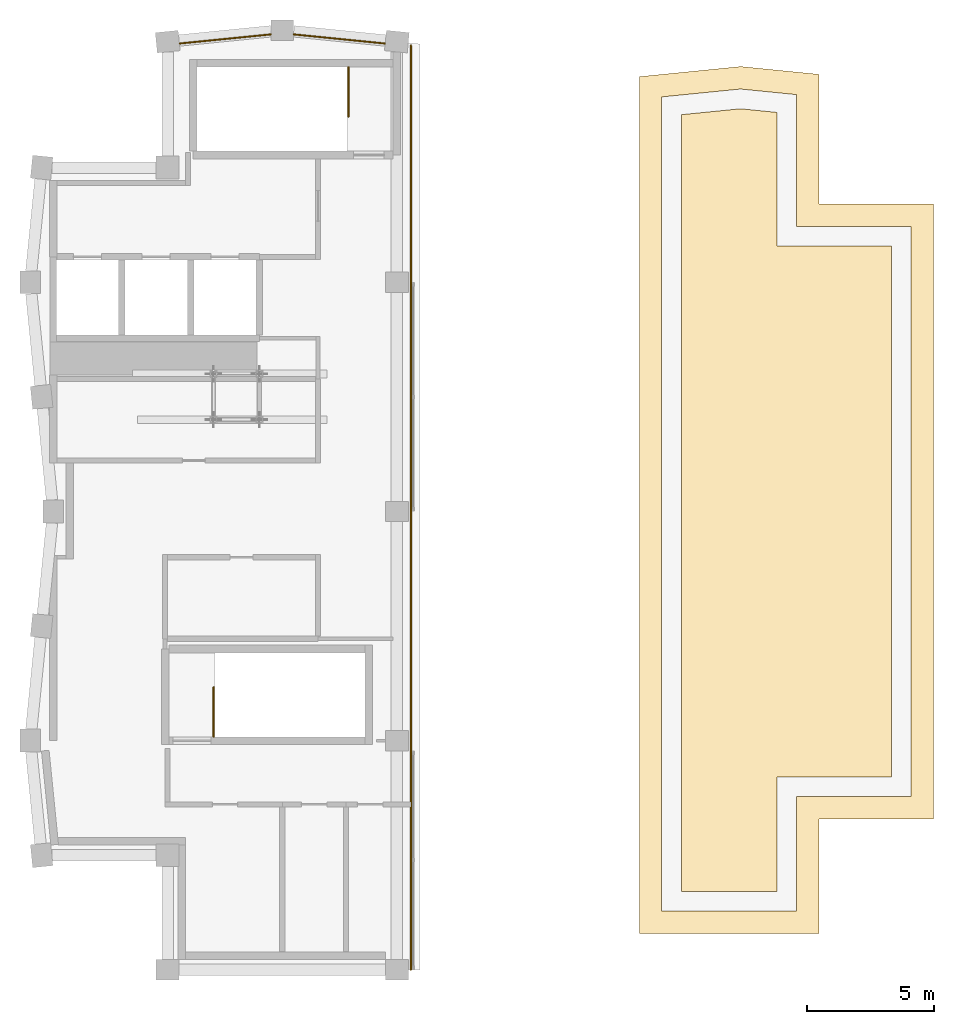
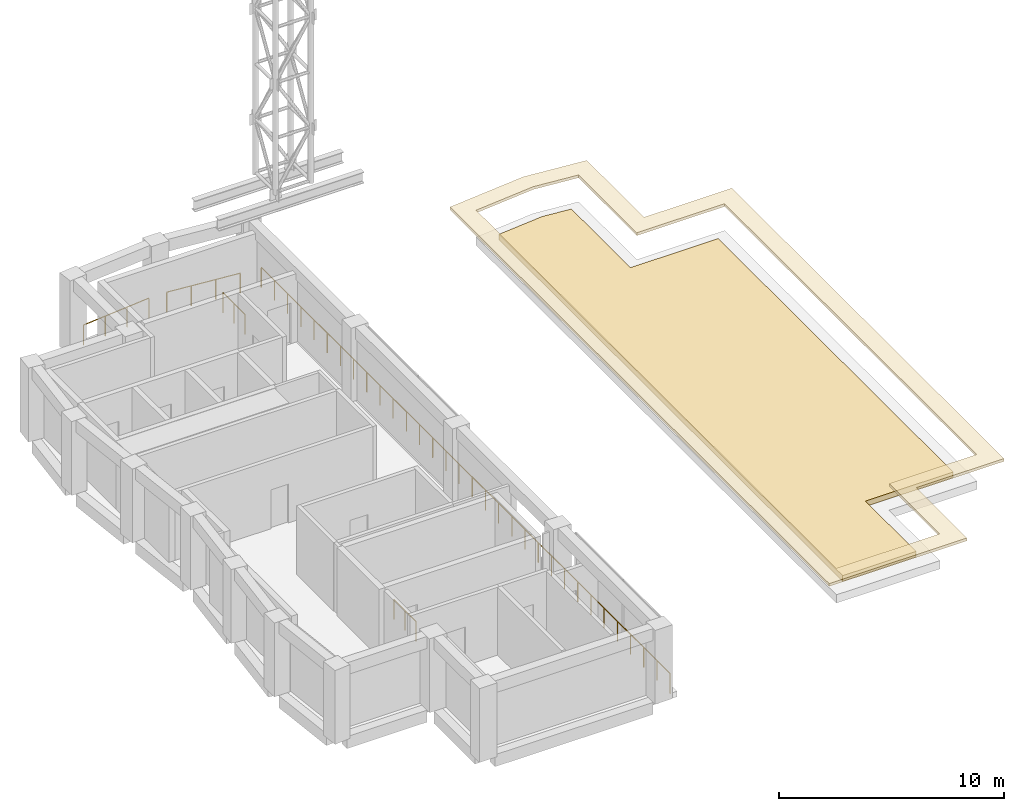
# One storey, part 7 of 7: 5 railings, 2 coverings.
"""IFC4 building model written with IfcOpenShell, lengths in metres."""

from ifc_helpers import new_model, si_unit, direction, frame, origin, origin_2d, place, context, subcontext, project, spatial, polyline, circle, outline, extrude, material, layer, layer_set, type_object, element, save


model = new_model("IFC4")

# Units and contexts
model_context = context("Model", 3, precision=1e-05, world=origin(), true_north=direction((0.0, 1.0)))
body_context = subcontext(model_context, "Body", "Model", "MODEL_VIEW")
ifc_project = project(units=[si_unit("LENGTHUNIT", "METRE"), si_unit("AREAUNIT", "SQUARE_METRE"), si_unit("VOLUMEUNIT", "CUBIC_METRE"), si_unit("PLANEANGLEUNIT", "RADIAN"), si_unit("MASSUNIT", "GRAM", prefix="KILO")], contexts=[model_context])

# Site, building, storey
site_placement = place(None, origin())
site = spatial("IfcSite", under=ifc_project, at=site_placement, CompositionType="ELEMENT")
building_placement = place(site_placement, origin())
building = spatial("IfcBuilding", under=site, at=building_placement, Name="Brondeck Convention Tower", CompositionType="ELEMENT")
storey_placement = place(building_placement, frame((0.0, 0.0, 306.800048828125)))
storey = spatial("IfcBuildingStorey", under=building, at=storey_placement, Name="L76", CompositionType="ELEMENT", Elevation=306.800048828125)

# Railings
ifc_material_1 = material(Name="Steel S355, bronze painted", Category="steel")
railing_type_1 = type_object("IfcRailingType", Name="Guard, bronze steel rail and posts", PredefinedType="GUARDRAIL", material=ifc_material_1)
railing_1_placement = place(storey_placement, frame((14.050048828125, 27.0, 0.0)))
element("IfcRailing", 1, at=railing_1_placement, inside=storey, type_object=railing_type_1, Name="ENV-SLOT-144-L76-RL1", PredefinedType="GUARDRAIL", context=body_context, shape_type="SweptSolid", body=[
    extrude(circle(Radius=0.02490234375, at=origin_2d()), frame((0.0, 0.0, 1.0751953125), z_axis=(0.0, 1.0, 0.0), x_axis=(-1.0, 0.0, 0.0)), (0.0, 0.0, 1.0), 36.294921875),
    extrude(circle(Radius=0.02490234375, at=origin_2d()), origin(), (0.0, 0.0, 1.0), 1.050048828125),
    extrude(circle(Radius=0.02490234375, at=origin_2d()), frame((0.0, 1.1708984375, 0.0)), (0.0, 0.0, 1.0), 1.050048828125),
    extrude(circle(Radius=0.02490234375, at=origin_2d()), frame((0.0, 2.341552734375, 0.0)), (0.0, 0.0, 1.0), 1.050048828125),
    extrude(circle(Radius=0.02490234375, at=origin_2d()), frame((0.0, 3.512451171875, 0.0)), (0.0, 0.0, 1.0), 1.050048828125),
    extrude(circle(Radius=0.02490234375, at=origin_2d()), frame((0.0, 4.68310546875, 0.0)), (0.0, 0.0, 1.0), 1.050048828125),
    extrude(circle(Radius=0.02490234375, at=origin_2d()), frame((0.0, 5.85400390625, 0.0)), (0.0, 0.0, 1.0), 1.050048828125),
    extrude(circle(Radius=0.02490234375, at=origin_2d()), frame((0.0, 7.02490234375, 0.0)), (0.0, 0.0, 1.0), 1.050048828125),
    extrude(circle(Radius=0.02490234375, at=origin_2d()), frame((0.0, 8.195556640625, 0.0)), (0.0, 0.0, 1.0), 1.050048828125),
    extrude(circle(Radius=0.02490234375, at=origin_2d()), frame((0.0, 9.366455078125, 0.0)), (0.0, 0.0, 1.0), 1.050048828125),
    extrude(circle(Radius=0.02490234375, at=origin_2d()), frame((0.0, 10.537353515625, 0.0)), (0.0, 0.0, 1.0), 1.050048828125),
    extrude(circle(Radius=0.02490234375, at=origin_2d()), frame((0.0, 11.7080078125, 0.0)), (0.0, 0.0, 1.0), 1.050048828125),
    extrude(circle(Radius=0.02490234375, at=origin_2d()), frame((0.0, 12.87890625, 0.0)), (0.0, 0.0, 1.0), 1.050048828125),
    extrude(circle(Radius=0.02490234375, at=origin_2d()), frame((0.0, 14.049560546875, 0.0)), (0.0, 0.0, 1.0), 1.050048828125),
    extrude(circle(Radius=0.02490234375, at=origin_2d()), frame((0.0, 15.220458984375, 0.0)), (0.0, 0.0, 1.0), 1.050048828125),
    extrude(circle(Radius=0.02490234375, at=origin_2d()), frame((0.0, 16.391357421875, 0.0)), (0.0, 0.0, 1.0), 1.050048828125),
    extrude(circle(Radius=0.02490234375, at=origin_2d()), frame((0.0, 17.56201171875, 0.0)), (0.0, 0.0, 1.0), 1.050048828125),
    extrude(circle(Radius=0.02490234375, at=origin_2d()), frame((0.0, 18.73291015625, 0.0)), (0.0, 0.0, 1.0), 1.050048828125),
    extrude(circle(Radius=0.02490234375, at=origin_2d()), frame((0.0, 19.903564453125, 0.0)), (0.0, 0.0, 1.0), 1.050048828125),
    extrude(circle(Radius=0.02490234375, at=origin_2d()), frame((0.0, 21.074462890625, 0.0)), (0.0, 0.0, 1.0), 1.050048828125),
    extrude(circle(Radius=0.02490234375, at=origin_2d()), frame((0.0, 22.245361328125, 0.0)), (0.0, 0.0, 1.0), 1.050048828125),
    extrude(circle(Radius=0.02490234375, at=origin_2d()), frame((0.0, 23.416015625, 0.0)), (0.0, 0.0, 1.0), 1.050048828125),
    extrude(circle(Radius=0.02490234375, at=origin_2d()), frame((0.0, 24.5869140625, 0.0)), (0.0, 0.0, 1.0), 1.050048828125),
    extrude(circle(Radius=0.02490234375, at=origin_2d()), frame((0.0, 25.757568359375, 0.0)), (0.0, 0.0, 1.0), 1.050048828125),
    extrude(circle(Radius=0.02490234375, at=origin_2d()), frame((0.0, 26.928466796875, 0.0)), (0.0, 0.0, 1.0), 1.050048828125),
    extrude(circle(Radius=0.02490234375, at=origin_2d()), frame((0.0, 28.099365234375, 0.0)), (0.0, 0.0, 1.0), 1.050048828125),
    extrude(circle(Radius=0.02490234375, at=origin_2d()), frame((0.0, 29.27001953125, 0.0)), (0.0, 0.0, 1.0), 1.050048828125),
    extrude(circle(Radius=0.02490234375, at=origin_2d()), frame((0.0, 30.44091796875, 0.0)), (0.0, 0.0, 1.0), 1.050048828125),
    extrude(circle(Radius=0.02490234375, at=origin_2d()), frame((0.0, 31.61181640625, 0.0)), (0.0, 0.0, 1.0), 1.050048828125),
    extrude(circle(Radius=0.02490234375, at=origin_2d()), frame((0.0, 32.782470703125, 0.0)), (0.0, 0.0, 1.0), 1.050048828125),
    extrude(circle(Radius=0.02490234375, at=origin_2d()), frame((0.0, 33.953369140625, 0.0)), (0.0, 0.0, 1.0), 1.050048828125),
    extrude(circle(Radius=0.02490234375, at=origin_2d()), frame((0.0, 35.1240234375, 0.0)), (0.0, 0.0, 1.0), 1.050048828125),
    extrude(circle(Radius=0.02490234375, at=origin_2d()), frame((0.0, 36.294921875, 0.0)), (0.0, 0.0, 1.0), 1.050048828125),
])
railing_2_placement = place(storey_placement, frame((4.9794921875, 63.37744140625, 0.0)))
element("IfcRailing", 2, at=railing_2_placement, inside=storey, type_object=railing_type_1, Name="ENV-RL-L76-REAR1", PredefinedType="GUARDRAIL", context=body_context, shape_type="SweptSolid", body=[
    extrude(circle(Radius=0.02490234375, at=origin_2d()), frame((0.0, 0.0, 1.0751953125), z_axis=(0.995037864926, 0.099496971632, 0.0), x_axis=(-0.099496971632, 0.995037864926, 0.0)), (0.0, 0.0, 1.0), 3.58251953125),
    extrude(circle(Radius=0.02490234375, at=origin_2d()), origin(), (0.0, 0.0, 1.0), 1.050048828125),
    extrude(circle(Radius=0.02490234375, at=origin_2d()), frame((1.188232421875, 0.118896484375, 0.0)), (0.0, 0.0, 1.0), 1.050048828125),
    extrude(circle(Radius=0.02490234375, at=origin_2d()), frame((2.37646484375, 0.237548828125, 0.0)), (0.0, 0.0, 1.0), 1.050048828125),
    extrude(circle(Radius=0.02490234375, at=origin_2d()), frame((3.564697265625, 0.3564453125, 0.0)), (0.0, 0.0, 1.0), 1.050048828125),
])
railing_3_placement = place(storey_placement, frame((9.455810546875, 63.73388671875, 0.0)))
element("IfcRailing", 3, at=railing_3_placement, inside=storey, type_object=railing_type_1, Name="ENV-RL-L76-REAR2", PredefinedType="GUARDRAIL", context=body_context, shape_type="SweptSolid", body=[
    extrude(circle(Radius=0.02490234375, at=origin_2d()), frame((0.0, 0.0, 1.0751953125), z_axis=(0.995037864926, -0.099496971632, 0.0), x_axis=(0.099496971632, 0.995037864926, 0.0)), (0.0, 0.0, 1.0), 3.58251953125),
    extrude(circle(Radius=0.02490234375, at=origin_2d()), origin(), (0.0, 0.0, 1.0), 1.050048828125),
    extrude(circle(Radius=0.02490234375, at=origin_2d()), frame((1.188232421875, -0.118896484375, 0.0)), (0.0, 0.0, 1.0), 1.050048828125),
    extrude(circle(Radius=0.02490234375, at=origin_2d()), frame((2.37646484375, -0.237548828125, 0.0)), (0.0, 0.0, 1.0), 1.050048828125),
    extrude(circle(Radius=0.02490234375, at=origin_2d()), frame((3.564697265625, -0.3564453125, 0.0)), (0.0, 0.0, 1.0), 1.050048828125),
])

# Coverings
ifc_material_2 = material(Name="Bitumen membrane")
ifc_layer_1 = layer(ifc_material_2, 0.02001953125, Name="Waterproofing")
ifc_material_3 = material(Name="Mineral wool")
ifc_layer_2 = layer(ifc_material_3, 0.280029296875, Name="Insulation")
ifc_layer_set = layer_set([ifc_layer_1, ifc_layer_2], Name="Roof membrane and insulation")
covering_type = type_object("IfcCoveringType", Name="Roof membrane and insulation", PredefinedType="ROOFING", material=ifc_layer_set)
covering_1_placement = place(storey_placement, frame((0.0, 0.0, 1.800048828125)))
element("IfcCovering", 4, at=covering_1_placement, inside=storey, type_object=covering_type, Name="ENV-CR-K2-T1-1", PredefinedType="ROOFING", context=body_context, shape_type="SweptSolid", body=[
    extrude(outline(polyline([(23.02001953125, 62.074951171875), (23.02001953125, 28.419921875), (30.080078125, 28.419921875), (30.080078125, 32.919921875), (34.580078125, 32.919921875), (34.580078125, 57.080078125), (30.080078125, 57.080078125), (30.080078125, 62.164794921875), (27.0, 62.472900390625), (23.02001953125, 62.074951171875)]), holes=[polyline([(29.199951171875, 29.300048828125), (23.89990234375, 29.300048828125), (23.89990234375, 61.278564453125), (27.0, 61.58837890625), (29.199951171875, 61.368408203125), (29.199951171875, 56.199951171875), (33.699951171875, 56.199951171875), (33.699951171875, 33.800048828125), (29.199951171875, 33.800048828125), (29.199951171875, 29.300048828125)])]), origin(), (0.0, 0.0, 1.0), 0.14990234375),
])
covering_2_placement = place(storey_placement, frame((0.0, 0.0, 0.5)))
element("IfcCovering", 5, at=covering_2_placement, inside=storey, type_object=covering_type, Name="ENV-CT-K2-T2-RF1", PredefinedType="ROOFING", context=body_context, shape_type="SweptSolid", body=[
    extrude(outline(polyline([(24.669921875, 60.581787109375), (24.669921875, 30.070068359375), (28.429931640625, 30.070068359375), (28.429931640625, 34.570068359375), (32.929931640625, 34.570068359375), (32.929931640625, 55.429931640625), (28.429931640625, 55.429931640625), (28.429931640625, 60.671630859375), (27.0, 60.814697265625), (24.669921875, 60.581787109375)])), origin(), (0.0, 0.0, 1.0), 0.300048828125),
])

# Railings
ifc_material_4 = material(Name="Steel S355", Category="steel")
railing_type_2 = type_object("IfcRailingType", Name="Stair guard 1100", PredefinedType="GUARDRAIL", material=ifc_material_4)
railing_4_placement = place(storey_placement, frame((6.300048828125, 36.14990234375, 0.0)))
element("IfcRailing", 6, at=railing_4_placement, inside=storey, type_object=railing_type_2, Name="L76 ST-1 top well guard 1", PredefinedType="GUARDRAIL", context=body_context, shape_type="SweptSolid", body=[
    extrude(circle(Radius=0.02392578125, at=origin_2d()), frame((0.0, 0.0, 1.076171875), z_axis=(0.0, 1.0, 0.0), x_axis=(-1.0, 0.0, 0.0)), (0.0, 0.0, 1.0), 1.9501953125),
    extrude(circle(Radius=0.02099609375, at=origin_2d()), origin(), (0.0, 0.0, 1.0), 1.052001953125),
    extrude(circle(Radius=0.02099609375, at=origin_2d()), frame((0.0, 0.97509765625, 0.0)), (0.0, 0.0, 1.0), 1.052001953125),
    extrude(circle(Radius=0.02099609375, at=origin_2d()), frame((0.0, 1.9501953125, 0.0)), (0.0, 0.0, 1.0), 1.052001953125),
])
railing_5_placement = place(storey_placement, frame((11.60009765625, 62.449951171875, 0.0)))
element("IfcRailing", 7, at=railing_5_placement, inside=storey, type_object=railing_type_2, Name="L76 ST-3 top well guard 1", PredefinedType="GUARDRAIL", context=body_context, shape_type="SweptSolid", body=[
    extrude(circle(Radius=0.02392578125, at=origin_2d()), frame((0.0, 0.0, 1.076171875), z_axis=(0.0, -1.0, 0.0), x_axis=(1.0, 0.0, 0.0)), (0.0, 0.0, 1.0), 1.949951171875),
    extrude(circle(Radius=0.02099609375, at=origin_2d()), origin(), (0.0, 0.0, 1.0), 1.052001953125),
    extrude(circle(Radius=0.02099609375, at=origin_2d()), frame((0.0, -0.97509765625, 0.0)), (0.0, 0.0, 1.0), 1.052001953125),
    extrude(circle(Radius=0.02099609375, at=origin_2d()), frame((0.0, -1.949951171875, 0.0)), (0.0, 0.0, 1.0), 1.052001953125),
])

save(model, "model.ifc")
